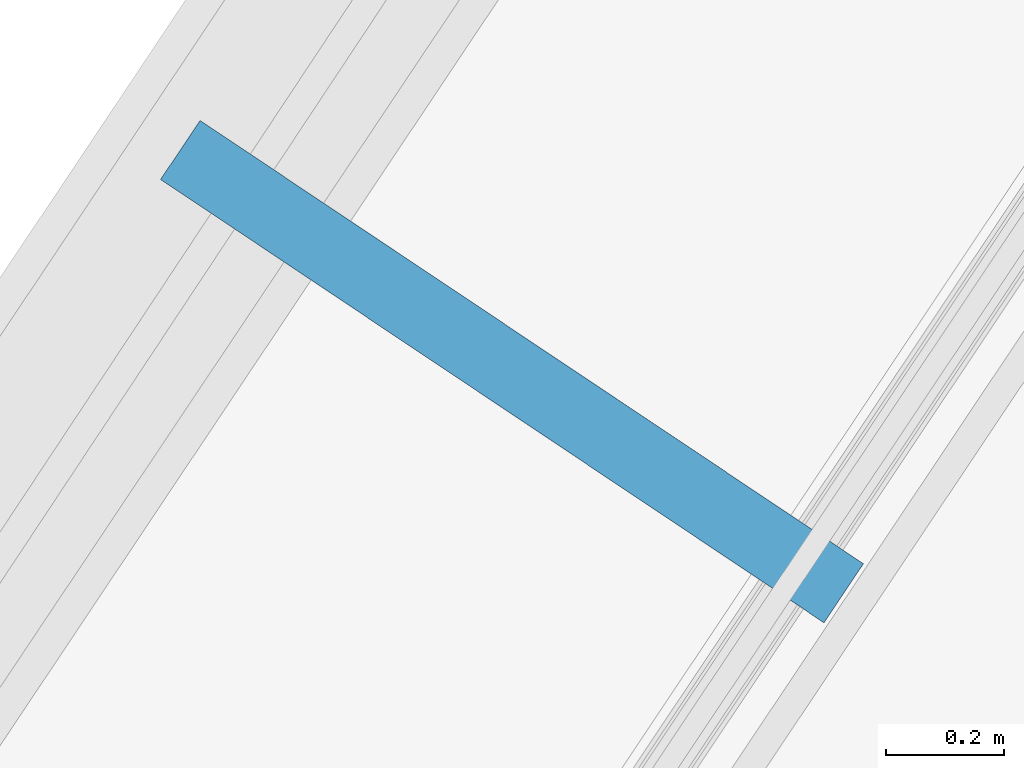
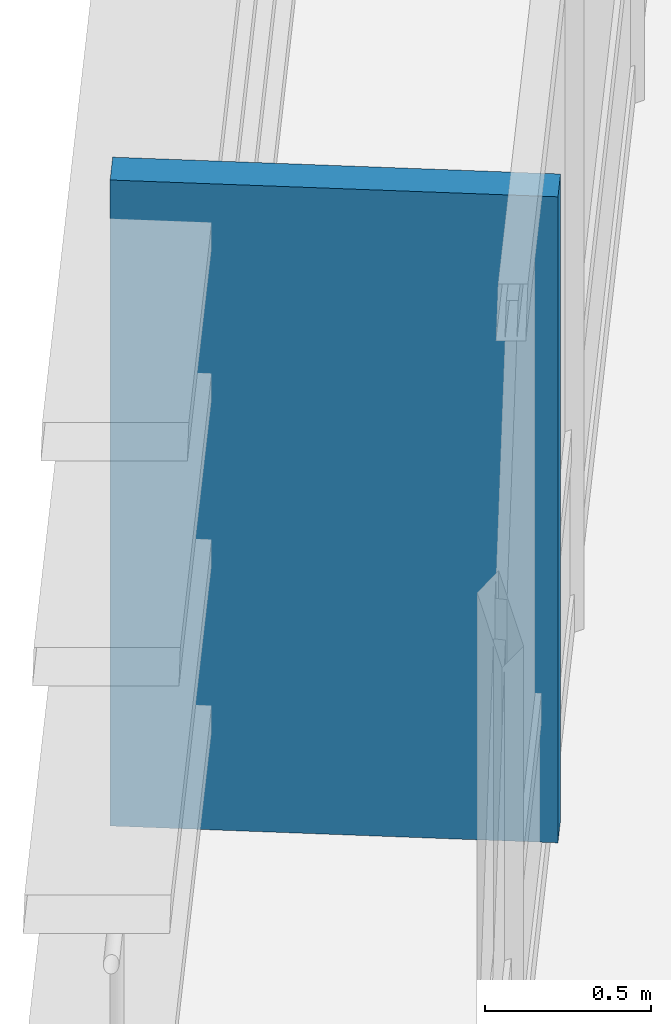
# One storey, part 72 of 96: 1 discrete accessory.
"""IFC4 building model written with IfcOpenShell, lengths in metres."""

from ifc_helpers import new_model, si_unit, direction, frame, origin, origin_2d, place, context, subcontext, project, spatial, rectangle, extrude, material, type_object, element, save


model = new_model("IFC4")

# Units and contexts
model_context = context("Model", 3, precision=1e-05, world=origin(), true_north=direction((0.0, 1.0)))
body_context = subcontext(model_context, "Body", "Model", "MODEL_VIEW")
ifc_project = project(units=[si_unit("LENGTHUNIT", "METRE"), si_unit("AREAUNIT", "SQUARE_METRE"), si_unit("VOLUMEUNIT", "CUBIC_METRE"), si_unit("PLANEANGLEUNIT", "RADIAN"), si_unit("MASSUNIT", "GRAM", prefix="KILO")], contexts=[model_context])

# Site, building, storey
site_placement = place(None, origin())
site = spatial("IfcSite", under=ifc_project, at=site_placement, CompositionType="ELEMENT")
building_placement = place(site_placement, origin())
building = spatial("IfcBuilding", under=site, at=building_placement, Name="Candeia Ridge Stadium", CompositionType="ELEMENT")
storey_placement = place(building_placement, frame((0.0, 0.0, 21.60009765625)))
storey = spatial("IfcBuildingStorey", under=building, at=storey_placement, Name="L04", CompositionType="ELEMENT", Elevation=21.60009765625)

# Discrete accessory
ifc_material = material(Name="Steel ASTM A572 Grade 50", Category="steel")
discrete_accessory_type = type_object("IfcDiscreteAccessoryType", Name="Solar Rib Outrigger Bracket BRK1", PredefinedType="BRACKET", material=ifc_material)
discrete_accessory_placement = place(storey_placement, frame((29.083740234375, 123.007568359375, 0.19970703125), z_axis=(0.0, 0.0, 1.0), x_axis=(-0.831469653018, 0.555570172084, 0.0)))
element("IfcDiscreteAccessory", 1, at=discrete_accessory_placement, inside=storey, type_object=discrete_accessory_type, Name="Solar rib steel outrigger bracket L04 bay 10", PredefinedType="BRACKET", context=body_context, shape_type="SweptSolid", body=[
    extrude(rectangle(XDim=1.35009765625, YDim=0.1201171875, at=origin_2d()), origin(), (0.0, 0.0, 1.0), 2.372314453125),
])

save(model, "model.ifc")
